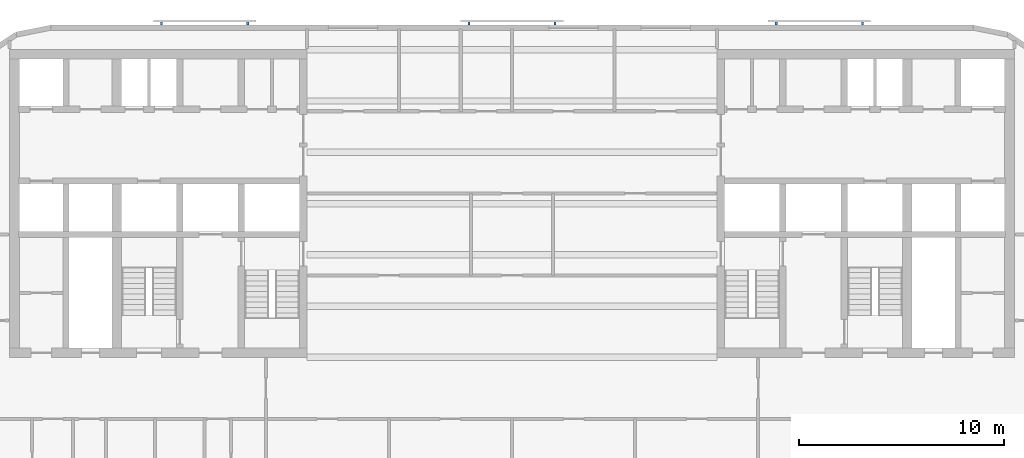
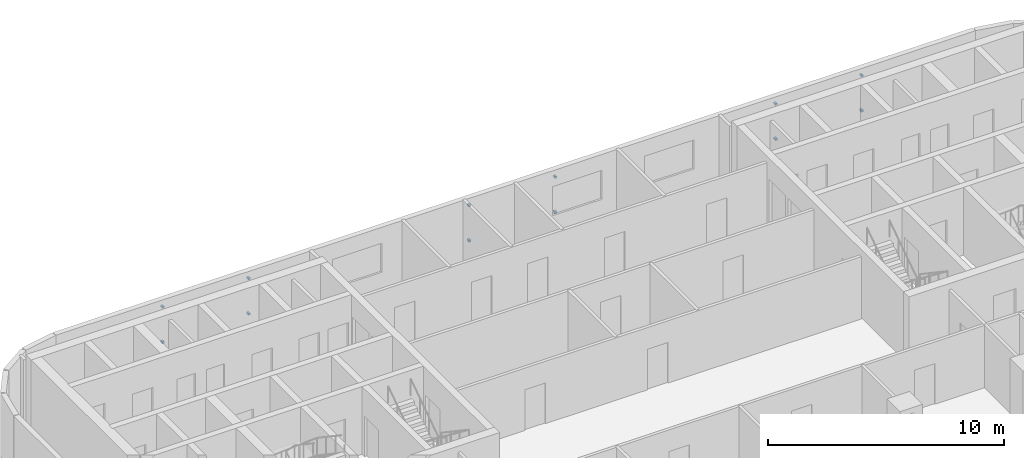
# One storey, part 9 of 12: 12 discrete accessories.
"""IFC4 building model written with IfcOpenShell, lengths in metres."""

from ifc_helpers import new_model, si_unit, direction, frame, origin, origin_2d, place, context, subcontext, project, spatial, rectangle, extrude, material, type_object, element, save


model = new_model("IFC4")

# Units and contexts
model_context = context("Model", 3, precision=1e-05, world=origin(), true_north=direction((0.0, 1.0)))
body_context = subcontext(model_context, "Body", "Model", "MODEL_VIEW")
ifc_project = project(units=[si_unit("LENGTHUNIT", "METRE"), si_unit("AREAUNIT", "SQUARE_METRE"), si_unit("VOLUMEUNIT", "CUBIC_METRE"), si_unit("PLANEANGLEUNIT", "RADIAN"), si_unit("MASSUNIT", "GRAM", prefix="KILO")], contexts=[model_context])

# Site, building, storey
site_placement = place(None, origin())
site = spatial("IfcSite", under=ifc_project, at=site_placement, CompositionType="ELEMENT")
building_placement = place(site_placement, origin())
building = spatial("IfcBuilding", under=site, at=building_placement, Name="Torana Hotel and Residences", CompositionType="ELEMENT")
storey_placement = place(building_placement, frame((0.0, 0.0, 201.10009765625)))
storey = spatial("IfcBuildingStorey", under=building, at=storey_placement, Name="L52", CompositionType="ELEMENT", Elevation=201.10009765625)

# Discrete accessories
ifc_material = material(Name="Steel S355", Category="steel")
discrete_accessory_type = type_object("IfcDiscreteAccessoryType", Name="SCREEN BRACKET 100", PredefinedType="BRACKET", material=ifc_material)
for number, where, z_axis, x_axis, name in (
    (1, (17.08349609375, 1.27490234375, 0.749755859375), (0.0, 0.0, 1.0), (-1.0, 0.0, 0.0), "Screen bracket L52"),
    (2, (17.08349609375, 1.27490234375, 2.56982421875), (0.0, 0.0, 1.0), (-1.0, 0.0, 0.0), "Screen bracket L52"),
    (3, (12.883544921875, 1.27490234375, 0.749755859375), (0.0, 0.0, 1.0), (-1.0, 0.0, 0.0), "Screen bracket L52"),
    (4, (12.883544921875, 1.27490234375, 2.56982421875), (0.0, 0.0, 1.0), (-1.0, 0.0, 0.0), "Screen bracket L52"),
    (5, (2.10009765625, 1.27490234375, 0.749755859375), (0.0, 0.0, 1.0), (-1.0, 0.0, 0.0), "Screen bracket L52"),
    (6, (2.10009765625, 1.27490234375, 2.56982421875), (0.0, 0.0, 1.0), (-1.0, 0.0, 0.0), "Screen bracket L52"),
    (7, (-2.10009765625, 1.27490234375, 0.749755859375), (0.0, 0.0, 1.0), (-1.0, 0.0, 0.0), "Screen bracket L52"),
    (8, (-2.10009765625, 1.27490234375, 2.56982421875), (0.0, 0.0, 1.0), (-1.0, 0.0, 0.0), "Screen bracket L52"),
    (9, (-12.883544921875, 1.27490234375, 0.749755859375), (0.0, 0.0, 1.0), (-1.0, 0.0, 0.0), "Screen bracket L52"),
    (10, (-12.883544921875, 1.27490234375, 2.56982421875), (0.0, 0.0, 1.0), (-1.0, 0.0, 0.0), "Screen bracket L52"),
    (11, (-17.08349609375, 1.27490234375, 0.749755859375), (0.0, 0.0, 1.0), (-1.0, 0.0, 0.0), "Screen bracket L52"),
    (12, (-17.08349609375, 1.27490234375, 2.56982421875), (0.0, 0.0, 1.0), (-1.0, 0.0, 0.0), "Screen bracket L52"),
):
    element("IfcDiscreteAccessory", number, at=place(storey_placement, frame(where, z_axis=z_axis, x_axis=x_axis)), inside=storey, type_object=discrete_accessory_type, Name=name, PredefinedType="BRACKET", context=body_context, shape_type="SweptSolid", body=[
        extrude(rectangle(XDim=0.10009765625, YDim=0.14990234375, at=origin_2d()), origin(), (0.0, 0.0, 1.0), 0.10009765625),
    ])

save(model, "model.ifc")
